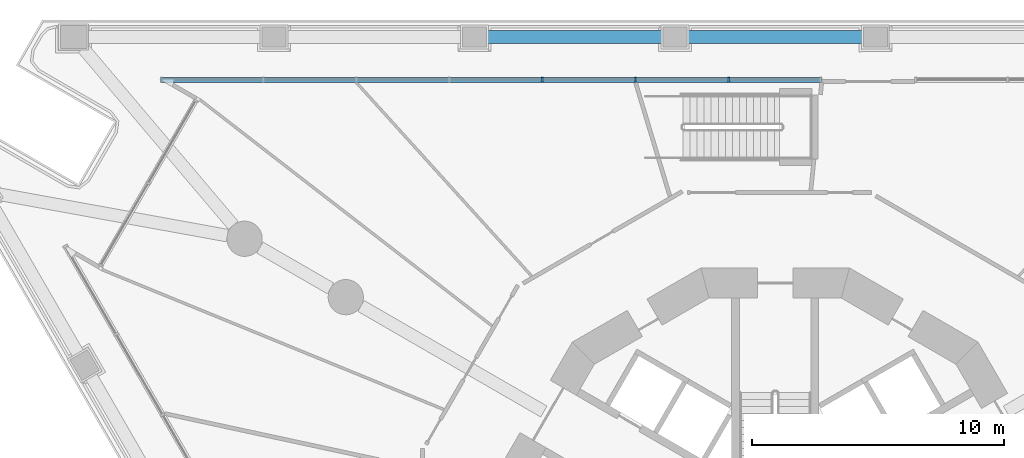
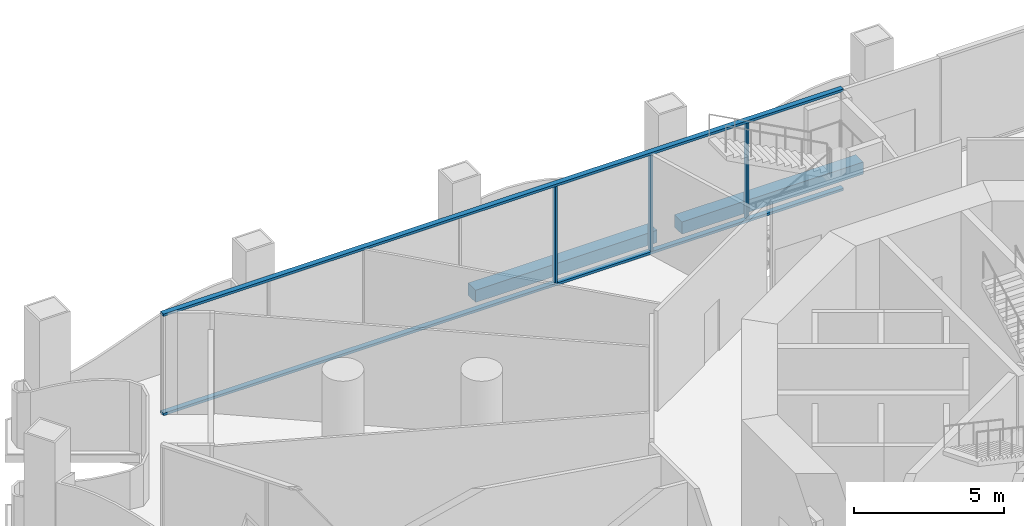
# One storey, part 6 of 21: 5 members, 2 beams, 1 element without a shape of its own.
"""IFC4 building model written with IfcOpenShell, lengths in metres."""

import ifcopenshell
import ifcopenshell.guid

model = None  # the IFC model being written
_history = None  # IfcOwnerHistory: only IFC2X3 demands one
_inside = {}  # id of a spatial element -> (the spatial element, [elements in it])
_under = {}  # id of a project, library or spatial element -> (it, [spatial elements below it])
_declared = {}  # id of a project -> (the project, [libraries it declares])
_typed = {}  # id of a type object -> (the type object, [elements of that type])
_made_of = {}  # id of a material, layer set ... -> (it, [elements and type objects made of it])


def new_model(schema):
    """Start an empty IFC model of exactly this schema.

    Asked for "IFC4X3", IfcOpenShell would pick the latest addendum, in which some entities
    have other attributes; the version numbers below select the first issue.
    IFC2X3 requires an IfcOwnerHistory on every rooted entity: one is made here for all.
    """
    global model, _history
    if schema == "IFC4X3":
        model = ifcopenshell.file(schema_version=(4, 3, 0, 0))
    else:
        model = ifcopenshell.file(schema=schema)
    _inside.clear()
    _under.clear()
    _declared.clear()
    _typed.clear()
    _made_of.clear()
    _history = None
    if model.schema == "IFC2X3":
        org = make("IfcOrganization", Name="unknown")
        user = make(
            "IfcPersonAndOrganization",
            ThePerson=make("IfcPerson", FamilyName="unknown"),
            TheOrganization=org,
        )
        app = make(
            "IfcApplication",
            ApplicationDeveloper=org,
            Version="unknown",
            ApplicationFullName="unknown",
            ApplicationIdentifier="unknown",
        )
        _history = make(
            "IfcOwnerHistory",
            OwningUser=user,
            OwningApplication=app,
            ChangeAction="ADDED",
            CreationDate=0,
        )
    return model


def make(cls, **values):
    """One entity of the class cls with the attributes given. An attribute that is None is left unset."""
    return model.create_entity(
        cls, **{name: value for name, value in values.items() if value is not None}
    )


def rooted(cls, **values):
    """An entity with a GlobalId (a new one), such as an element, a storey or a relation."""
    return make(cls, GlobalId=ifcopenshell.guid.new(), OwnerHistory=_history, **values)


def si_unit(unit_type, name, prefix=None):
    """IfcSIUnit, for example si_unit("LENGTHUNIT", "METRE", prefix="MILLI")."""
    return make("IfcSIUnit", UnitType=unit_type, Prefix=prefix, Name=name)


def assignment(units):
    """IfcUnitAssignment: the units of a project."""
    return None if units is None else make("IfcUnitAssignment", Units=units)


def point(xyz):
    """IfcCartesianPoint."""
    return None if xyz is None else make("IfcCartesianPoint", Coordinates=xyz)


def direction(xyz):
    """IfcDirection."""
    return None if xyz is None else make("IfcDirection", DirectionRatios=xyz)


def frame(location, z_axis=None, x_axis=None):
    """IfcAxis2Placement3D, a coordinate frame: its origin and axes. An axis left out is left unset."""
    return make(
        "IfcAxis2Placement3D",
        Location=point(location),
        Axis=direction(z_axis),
        RefDirection=direction(x_axis),
    )


def frame_2d(location, x_axis=None):
    """IfcAxis2Placement2D, a coordinate frame in the plane: its origin and x axis."""
    return make(
        "IfcAxis2Placement2D", Location=point(location), RefDirection=direction(x_axis)
    )


def origin():
    """The frame at (0, 0, 0) with its axes left unset."""
    return frame((0.0, 0.0, 0.0))


def origin_2d():
    """The frame at (0, 0) in the plane with its x axis left unset."""
    return frame_2d((0.0, 0.0))


def place(relative_to, where):
    """IfcLocalPlacement: puts the frame where relative to a parent placement (None: the world)."""
    return make(
        "IfcLocalPlacement", PlacementRelTo=relative_to, RelativePlacement=where
    )


def context(
    kind, dimensions, precision=None, world=None, true_north=None, identifier=None
):
    """IfcGeometricRepresentationContext, for example the 3D "Model" context."""
    return make(
        "IfcGeometricRepresentationContext",
        ContextIdentifier=identifier,
        ContextType=kind,
        CoordinateSpaceDimension=dimensions,
        Precision=precision,
        WorldCoordinateSystem=world,
        TrueNorth=true_north,
    )


def subcontext(parent, identifier, kind, view, scale=None):
    """IfcGeometricRepresentationSubContext, for example "Body" below "Model"."""
    return make(
        "IfcGeometricRepresentationSubContext",
        ContextIdentifier=identifier,
        ContextType=kind,
        ParentContext=parent,
        TargetScale=scale,
        TargetView=view,
    )


def project(units=None, contexts=None):
    """IfcProject with its units and contexts."""
    return rooted(
        "IfcProject",
        Name="project",
        RepresentationContexts=contexts,
        UnitsInContext=assignment(units),
    )


def spatial(cls, under=None, at=None, **own):
    """A site, building, storey or space (cls), placed at a placement, below another one or the project."""
    s = rooted(cls, ObjectPlacement=at, **own)
    if under is not None:
        _under.setdefault(under.id(), (under, []))[1].append(s)
    return s


def profile(cls, at=None, kind="AREA", **sizes):
    """A parametric profile (cls). Its sizes go by their IFC names, for example OverallWidth=200.0."""
    return make(cls, ProfileType=kind, Position=at, **sizes)


def rectangle(**sizes):
    """IfcRectangleProfileDef."""
    return profile("IfcRectangleProfileDef", **sizes)


def extrude(swept, where, along, depth):
    """IfcExtrudedAreaSolid: the profile swept, set in the frame where, extruded along a direction by depth."""
    return make(
        "IfcExtrudedAreaSolid",
        SweptArea=swept,
        Position=where,
        ExtrudedDirection=direction(along),
        Depth=depth,
    )


def shape(context_of_items, identifier, shape_type, items):
    """IfcShapeRepresentation: the items that make up one representation, for example the "Body"."""
    return make(
        "IfcShapeRepresentation",
        ContextOfItems=context_of_items,
        RepresentationIdentifier=identifier,
        RepresentationType=shape_type,
        Items=items,
    )


def material(Name=None, Category=None):
    """IfcMaterial."""
    return make("IfcMaterial", Name=Name, Category=Category)


def layer(
    of_material, thickness, ventilated=None, Name=None, Category=None, Priority=None
):
    """IfcMaterialLayer: one layer of a wall or slab, of a material (None: an air gap)."""
    return make(
        "IfcMaterialLayer",
        Material=of_material,
        LayerThickness=thickness,
        IsVentilated=ventilated,
        Name=Name,
        Category=Category,
        Priority=Priority,
    )


def layer_set(layers, Name=None):
    """IfcMaterialLayerSet."""
    return make("IfcMaterialLayerSet", MaterialLayers=layers, LayerSetName=Name)


def material_profile(
    of_material, cross_section, Name=None, Category=None, Priority=None
):
    """IfcMaterialProfile: a cross section and its material."""
    return make(
        "IfcMaterialProfile",
        Name=Name,
        Material=of_material,
        Profile=cross_section,
        Priority=Priority,
        Category=Category,
    )


def profile_set(profiles, Name=None, composite=None):
    """IfcMaterialProfileSet."""
    return make(
        "IfcMaterialProfileSet",
        Name=Name,
        MaterialProfiles=profiles,
        CompositeProfile=composite,
    )


def made_of(thing, what):
    """Note that an element or type object is made of a material, layer set ...; save() writes the relation."""
    if what is not None:
        _made_of.setdefault(what.id(), (what, []))[1].append(thing)
    return thing


def type_object(cls, material=None, **own):
    """A type object (cls), such as IfcWallType, which elements share."""
    return made_of(rooted(cls, **own), material)


def element(
    cls,
    number,
    at=None,
    inside=None,
    cuts=None,
    type_object=None,
    material=None,
    context=None,
    identifier="Body",
    shape_type=None,
    held_by="IfcProductDefinitionShape",
    body=None,
    shapes=None,
    **own,
):
    """One element of the class cls, such as IfcWall. Its Tag is "e" and its number.

    at: its placement. inside: the storey or other place that contains it. cuts: it is an
    opening in that element (IfcRelVoidsElement). A single representation is given by context,
    identifier, shape_type and body (its items); several are given by shapes. held_by: the class
    of the entity that holds the representations. save() writes the other relations.
    """
    e = rooted(cls, Tag="e%d" % number, ObjectPlacement=at, **own)
    if body is not None:
        shapes = [shape(context, identifier, shape_type, body)]
    if shapes is not None:
        e.Representation = make(held_by, Representations=shapes)
    if inside is not None:
        _inside.setdefault(inside.id(), (inside, []))[1].append(e)
    if cuts is not None:
        rooted(
            "IfcRelVoidsElement", RelatingBuildingElement=cuts, RelatedOpeningElement=e
        )
    if type_object is not None:
        _typed.setdefault(type_object.id(), (type_object, []))[1].append(e)
    return made_of(e, material)


def aggregate(whole, parts):
    """IfcRelAggregates: a whole, such as a stair, and the parts it consists of."""
    return rooted("IfcRelAggregates", RelatingObject=whole, RelatedObjects=parts)


def save(model, path):
    """Write the relations noted so far, then the file.

    IfcRelAggregates (storeys below a building ...), IfcRelContainedInSpatialStructure (elements
    in a storey), IfcRelDefinesByType, IfcRelAssociatesMaterial and IfcRelDeclares: one each for
    every whole, place, type object, material and project.
    """
    for whole, parts in _under.values():
        aggregate(whole, parts)
    for where, things in _inside.values():
        rooted(
            "IfcRelContainedInSpatialStructure",
            RelatedElements=things,
            RelatingStructure=where,
        )
    for kind, things in _typed.values():
        rooted("IfcRelDefinesByType", RelatedObjects=things, RelatingType=kind)
    for what, things in _made_of.values():
        rooted("IfcRelAssociatesMaterial", RelatedObjects=things, RelatingMaterial=what)
    for by, libraries in _declared.values():
        rooted("IfcRelDeclares", RelatingContext=by, RelatedDefinitions=libraries)
    model.write(path)


model = new_model("IFC4")

# Units and contexts
model_context = context("Model", 3, precision=1e-05, world=origin(), true_north=direction((0.0, 1.0)))
body_context = subcontext(model_context, "Body", "Model", "MODEL_VIEW")
ifc_project = project(units=[si_unit("LENGTHUNIT", "METRE"), si_unit("AREAUNIT", "SQUARE_METRE"), si_unit("VOLUMEUNIT", "CUBIC_METRE"), si_unit("PLANEANGLEUNIT", "RADIAN"), si_unit("MASSUNIT", "GRAM", prefix="KILO")], contexts=[model_context])

# Site, building, storey
site_placement = place(None, origin())
site = spatial("IfcSite", under=ifc_project, at=site_placement, CompositionType="ELEMENT")
building_placement = place(site_placement, origin())
building = spatial("IfcBuilding", under=site, at=building_placement, Name="Trine Commons Tower", CompositionType="ELEMENT")
storey_placement = place(building_placement, frame((0.0, 0.0, 13.5)))
storey = spatial("IfcBuildingStorey", under=building, at=storey_placement, Name="L02", CompositionType="ELEMENT", Elevation=13.5)

# Curtain wall, members
ifc_material_1 = material(Name="Podium glazing: anodised aluminium frame with low-emissivity double glazed unit", Category="aluminium")
ifc_layer = layer(ifc_material_1, 0.199951171875)
ifc_layer_set = layer_set([ifc_layer], Name="Podium glazing: anodised aluminium frame with low-emissivity double glazed unit")
curtain_wall_type = type_object("IfcCurtainWallType", Name="Podium glazing curtain wall CW3", PredefinedType="NOTDEFINED", material=ifc_layer_set)
curtain_wall_placement = place(storey_placement, origin())
curtain_wall = element("IfcCurtainWall", 1, at=curtain_wall_placement, inside=storey, type_object=curtain_wall_type, Name="Podium glazing L02 F1.1", PredefinedType="NOTDEFINED")
ifc_material_2 = material(Name="Anodised aluminium, bronze finish", Category="aluminium")
ifc_material_profile_1 = material_profile(ifc_material_2, rectangle(XDim=0.199951171875, YDim=0.074951171875, at=origin_2d()), Name="Mullion 75x200")
ifc_profile_set_1 = profile_set([ifc_material_profile_1], Name="Anodised aluminium, bronze finish")
member_type_1 = type_object("IfcMemberType", Name="Mullion 75x200, Anodised aluminium, bronze finish", PredefinedType="MULLION", material=ifc_profile_set_1)
member_1_placement = place(storey_placement, frame((70.75244140625, 80.984619140625, 0.10009765625), z_axis=(0.0, 0.0, 1.0), x_axis=(0.0, 1.0, 0.0)))
member_1 = element("IfcMember", 2, at=member_1_placement, type_object=member_type_1, Name="CW3 mullion 5.1", PredefinedType="MULLION", context=body_context, shape_type="SweptSolid", body=[
    extrude(rectangle(XDim=0.199951171875, YDim=0.074951171875, at=origin_2d()), origin(), (0.0, 0.0, 1.0), 3.949951171875),
])
member_2_placement = place(storey_placement, frame((74.451416015625, 80.984619140625, 0.10009765625), z_axis=(0.0, 0.0, 1.0), x_axis=(0.0, 1.0, 0.0)))
member_2 = element("IfcMember", 3, at=member_2_placement, type_object=member_type_1, Name="CW3 mullion 6.1", PredefinedType="MULLION", context=body_context, shape_type="SweptSolid", body=[
    extrude(rectangle(XDim=0.199951171875, YDim=0.074951171875, at=origin_2d()), origin(), (0.0, 0.0, 1.0), 3.949951171875),
])
member_3_placement = place(storey_placement, frame((78.150390625, 80.984619140625, 0.10009765625), z_axis=(0.0, 0.0, 1.0), x_axis=(0.0, 1.0, 0.0)))
member_3 = element("IfcMember", 4, at=member_3_placement, type_object=member_type_1, Name="CW3 mullion 7.1", PredefinedType="MULLION", context=body_context, shape_type="SweptSolid", body=[
    extrude(rectangle(XDim=0.199951171875, YDim=0.074951171875, at=origin_2d()), origin(), (0.0, 0.0, 1.0), 3.949951171875),
])

# Beams
ifc_material_3 = material(Name="Concrete C50/60", Category="concrete")
ifc_material_profile_2 = material_profile(ifc_material_3, rectangle(XDim=0.5, YDim=0.5, at=origin_2d()), Name="RC 500x500")
ifc_profile_set_2 = profile_set([ifc_material_profile_2], Name="Concrete C50/60")
beam_type = type_object("IfcBeamType", Name="RC beam 500x500, C50/60", PredefinedType="BEAM", material=ifc_profile_set_2)
beam_1_placement = place(storey_placement, frame((68.52978515625, 82.6845703125, -0.60009765625), z_axis=(1.0, 0.0, 0.0), x_axis=(0.0, 1.0, 0.0)))
element("IfcBeam", 5, at=beam_1_placement, inside=storey, type_object=beam_type, Name="Beam EB1-10 L02", PredefinedType="BEAM", context=body_context, shape_type="SweptSolid", body=[
    extrude(rectangle(XDim=0.5, YDim=0.5, at=origin_2d()), origin(), (0.0, 0.0, 1.0), 7.013427734375),
])
beam_2_placement = place(storey_placement, frame((76.493408203125, 82.6845703125, -0.60009765625), z_axis=(1.0, 0.0, 0.0), x_axis=(0.0, 1.0, 0.0)))
element("IfcBeam", 6, at=beam_2_placement, inside=storey, type_object=beam_type, Name="Beam EB1-11 L02", PredefinedType="BEAM", context=body_context, shape_type="SweptSolid", body=[
    extrude(rectangle(XDim=0.5, YDim=0.5, at=origin_2d()), origin(), (0.0, 0.0, 1.0), 7.01318359375),
])

# Member
ifc_material_profile_3 = material_profile(ifc_material_2, rectangle(XDim=0.199951171875, YDim=0.10009765625, at=origin_2d()), Name="Transom 100x200")
ifc_profile_set_3 = profile_set([ifc_material_profile_3], Name="Anodised aluminium, bronze finish")
member_type_2 = type_object("IfcMemberType", Name="Transom 100x200, Anodised aluminium, bronze finish", PredefinedType="USERDEFINED", material=ifc_profile_set_3)
member_4_placement = place(storey_placement, frame((55.583740234375, 80.984619140625, 0.050048828125), z_axis=(1.0, 0.0, 0.0), x_axis=(0.0, 1.0, 0.0)))
member_4 = element("IfcMember", 7, at=member_4_placement, type_object=member_type_2, Name="CW3 transom T00", ObjectType="TRANSOM", PredefinedType="USERDEFINED", context=body_context, shape_type="SweptSolid", body=[
    extrude(rectangle(XDim=0.199951171875, YDim=0.10009765625, at=origin_2d()), origin(), (0.0, 0.0, 1.0), 26.265380859375),
])

member_5_placement = place(storey_placement, frame((55.583740234375, 80.984619140625, 4.10009765625), z_axis=(1.0, 0.0, 0.0), x_axis=(0.0, 1.0, 0.0)))
member_5 = element("IfcMember", 8, at=member_5_placement, type_object=member_type_2, Name="CW3 transom TH00", ObjectType="TRANSOM", PredefinedType="USERDEFINED", context=body_context, shape_type="SweptSolid", body=[
    extrude(rectangle(XDim=0.199951171875, YDim=0.10009765625, at=origin_2d()), origin(), (0.0, 0.0, 1.0), 26.265380859375),
])

aggregate(curtain_wall, [member_4, member_5, member_1, member_2, member_3])

save(model, "model.ifc")
